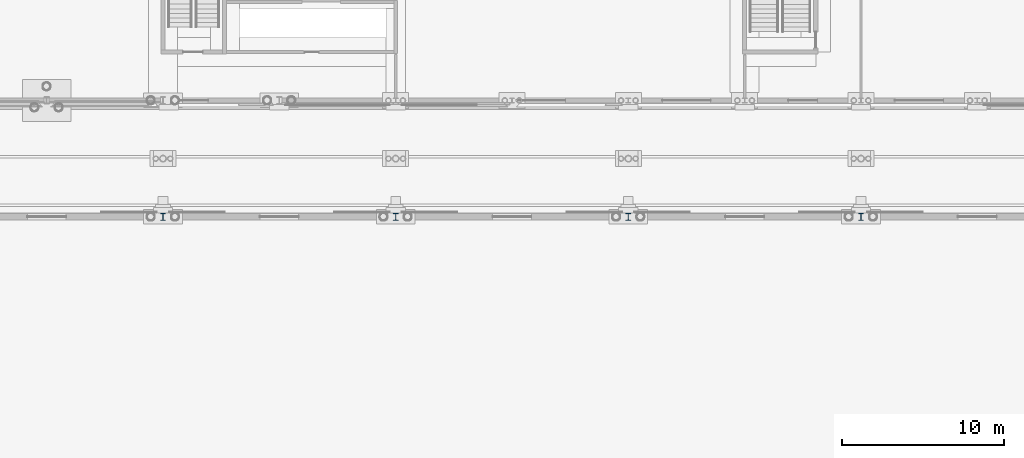
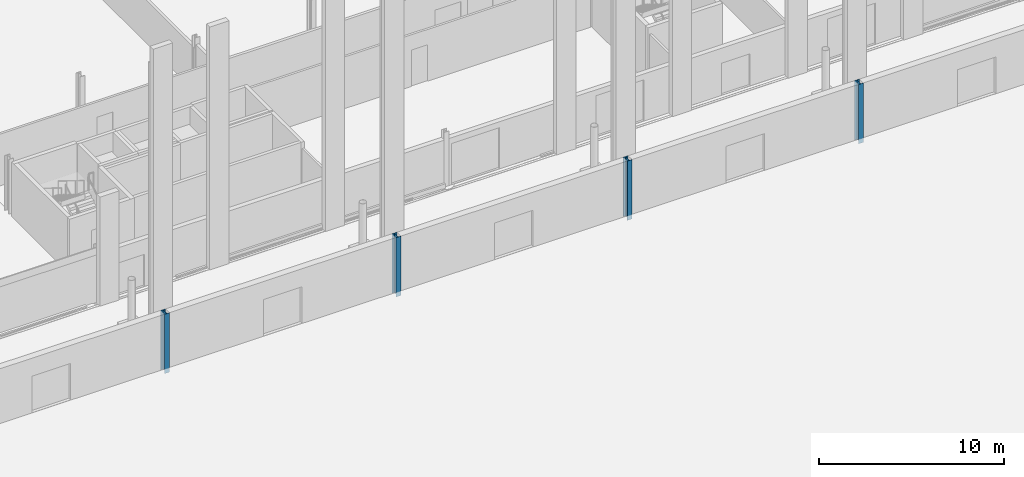
# One storey, part 53 of 148: 4 columns.
"""IFC4 building model written with IfcOpenShell, lengths in metres."""

from ifc_helpers import new_model, si_unit, direction, frame, origin, origin_2d, place, context, subcontext, project, spatial, i_section, extrude, material, material_profile, profile_set, type_object, element, save


model = new_model("IFC4")

# Units and contexts
model_context = context("Model", 3, precision=1e-05, world=origin(), true_north=direction((0.0, 1.0)))
body_context = subcontext(model_context, "Body", "Model", "MODEL_VIEW")
ifc_project = project(units=[si_unit("LENGTHUNIT", "METRE"), si_unit("AREAUNIT", "SQUARE_METRE"), si_unit("VOLUMEUNIT", "CUBIC_METRE"), si_unit("PLANEANGLEUNIT", "RADIAN"), si_unit("MASSUNIT", "GRAM", prefix="KILO")], contexts=[model_context])

# Site, building, storey
site_placement = place(None, origin())
site = spatial("IfcSite", under=ifc_project, at=site_placement, CompositionType="ELEMENT")
building_placement = place(site_placement, origin())
building = spatial("IfcBuilding", under=site, at=building_placement, Name="Kupolbacken Congress Centre", CompositionType="ELEMENT")
storey_placement = place(building_placement, origin())
storey = spatial("IfcBuildingStorey", under=building, at=storey_placement, Name="L00", CompositionType="ELEMENT", Elevation=0.0)

# Columns
ifc_material = material(Name="Steel S355", Category="steel")
ifc_material_profile = material_profile(ifc_material, i_section(OverallWidth=0.300048828125, OverallDepth=0.43994140625, WebThickness=0.011474609375, FlangeThickness=0.02099609375, FilletRadius=0.027099609375, at=origin_2d()), Name="HEA 450")
ifc_profile_set = profile_set([ifc_material_profile], Name="Steel S355")
column_type = type_object("IfcColumnType", Name="C07 column HEA 450", PredefinedType="COLUMN", material=ifc_profile_set)
for number, where, z_axis, x_axis, name in (
    (1, (136.800048828125, 115.199951171875, -0.300048828125), (0.0, 0.0, 1.0), (1.0, 0.0, 0.0), "S/col/C-H-T4N/L00"),
    (2, (151.199951171875, 115.199951171875, -0.300048828125), (0.0, 0.0, 1.0), (1.0, 0.0, 0.0), "S/col/C-H-T5N/L00"),
    (3, (165.60009765625, 115.199951171875, -0.300048828125), (0.0, 0.0, 1.0), (1.0, 0.0, 0.0), "S/col/C-H-T6N/L00"),
    (4, (180.0, 115.199951171875, -0.300048828125), (0.0, 0.0, 1.0), (1.0, 0.0, 0.0), "S/col/C-H-T7N/L00"),
):
    element("IfcColumn", number, at=place(storey_placement, frame(where, z_axis=z_axis, x_axis=x_axis)), inside=storey, type_object=column_type, Name=name, PredefinedType="COLUMN", context=body_context, shape_type="SweptSolid", body=[
        extrude(i_section(OverallWidth=0.300048828125, OverallDepth=0.43994140625, WebThickness=0.011474609375, FlangeThickness=0.02099609375, FilletRadius=0.027099609375, at=origin_2d()), origin(), (0.0, 0.0, 1.0), 3.900146484375),
    ])

save(model, "model.ifc")
